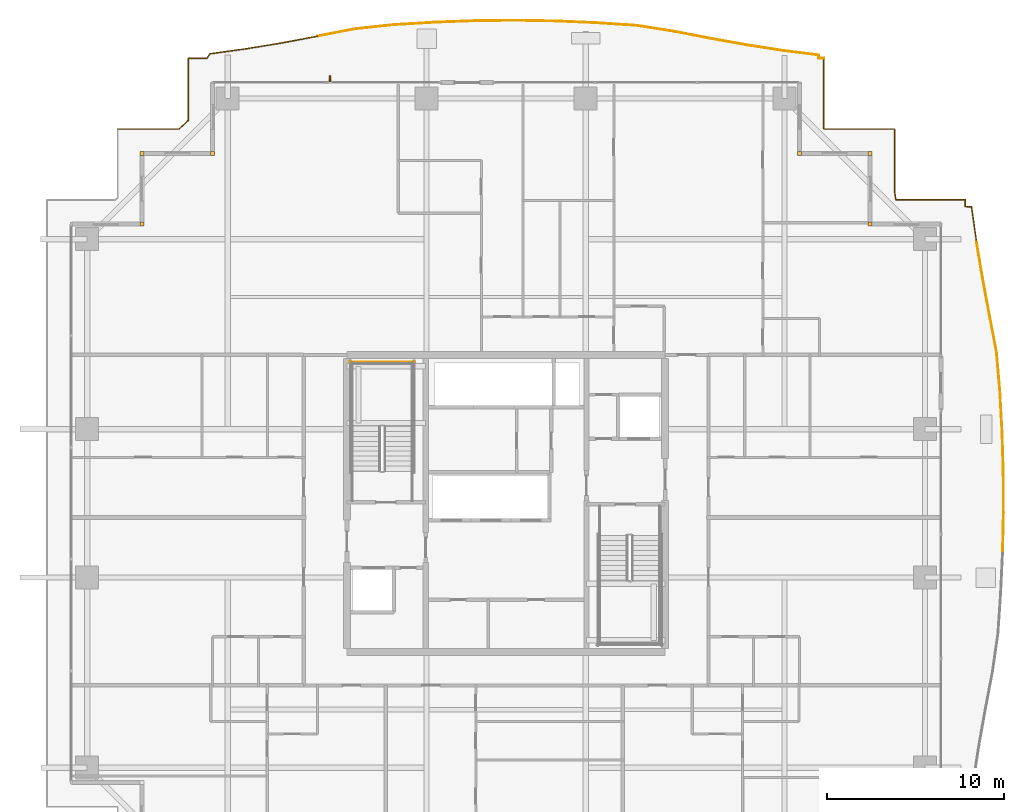
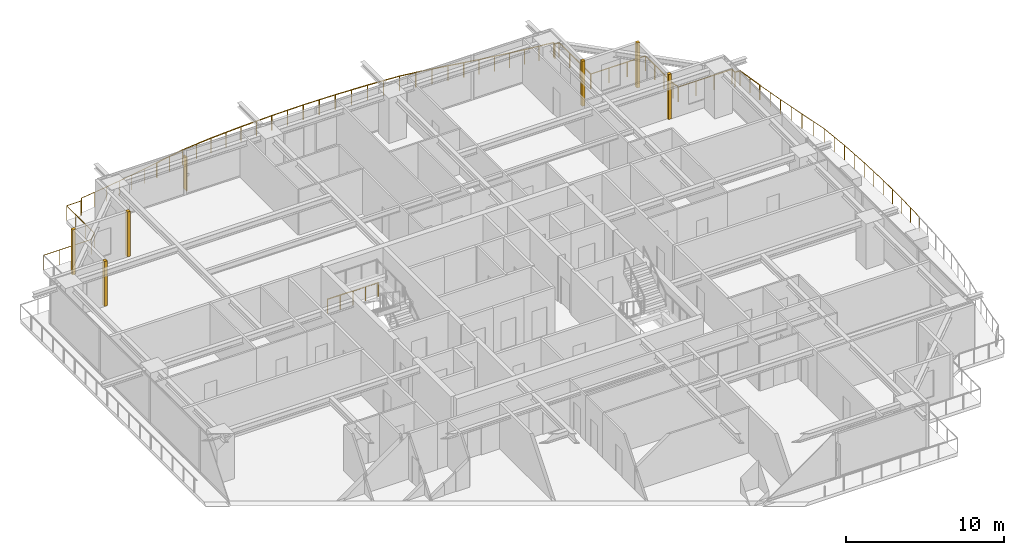
# One storey, part 34 of 34: 6 coverings, 6 railings, 1 shading device.
"""IFC4 building model written with IfcOpenShell, lengths in metres."""

from ifc_helpers import new_model, si_unit, direction, frame, origin, origin_2d, place, context, subcontext, project, spatial, rectangle, circle, extrude, source, transform, mapped, material, layer, layer_set, type_object, element, save


model = new_model("IFC4")

# Units and contexts
model_context = context("Model", 3, precision=1e-05, world=origin(), true_north=direction((0.0, 1.0)))
body_context = subcontext(model_context, "Body", "Model", "MODEL_VIEW")
ifc_project = project(units=[si_unit("LENGTHUNIT", "METRE"), si_unit("AREAUNIT", "SQUARE_METRE"), si_unit("VOLUMEUNIT", "CUBIC_METRE"), si_unit("PLANEANGLEUNIT", "RADIAN"), si_unit("MASSUNIT", "GRAM", prefix="KILO")], contexts=[model_context])

# Site, building, storey
site_placement = place(None, origin())
site = spatial("IfcSite", under=ifc_project, at=site_placement, CompositionType="ELEMENT")
building_placement = place(site_placement, origin())
building = spatial("IfcBuilding", under=site, at=building_placement, Name="Serunith Strait Residences", CompositionType="ELEMENT")
storey_placement = place(building_placement, frame((0.0, 0.0, 180.14990234375)))
storey = spatial("IfcBuildingStorey", under=building, at=storey_placement, Name="L45", CompositionType="ELEMENT", Elevation=180.14990234375)

# Railings
ifc_material_1 = material(Name="Stainless Steel & Laminated Glass Balustrade", Category="steel")
railing_type_1 = type_object("IfcRailingType", Name="RLG-BALC-1150", PredefinedType="BALUSTRADE", material=ifc_material_1)
railing_1_placement = place(storey_placement, frame((10.419921875, 46.3798828125, -0.0498046875)))
element("IfcRailing", 1, at=railing_1_placement, inside=storey, type_object=railing_type_1, Name="L45 Swirling Balcony Perimeter Balustrade 1", PredefinedType="BALUSTRADE", context=body_context, shape_type="SweptSolid", body=[
    extrude(circle(Radius=0.02392578125, at=origin_2d()), frame((0.001953125, 0.0, 1.1259765625), z_axis=(1.0, 0.0, 0.0), x_axis=(0.0, 1.0, 0.0)), (0.0, 0.0, 1.0), 3.478515625),
    extrude(circle(Radius=0.02392578125, at=origin_2d()), frame((3.48388671875, 0.00146484375, 1.1259765625), z_axis=(0.722101630655, 0.691786986727, 0.0), x_axis=(-0.691786986727, 0.722101630655, 0.0)), (0.0, 0.0, 1.0), 0.712646484375),
    extrude(circle(Radius=0.02392578125, at=origin_2d()), frame((4.0, 0.497802734375, 1.1259765625), z_axis=(0.0, 1.0, 0.0), x_axis=(-1.0, 0.0, 0.0)), (0.0, 0.0, 1.0), 3.500244140625),
    extrude(circle(Radius=0.02392578125, at=origin_2d()), frame((4.001953125, 4.0, 1.1259765625), z_axis=(1.0, 0.0, 0.0), x_axis=(0.0, 1.0, 0.0)), (0.0, 0.0, 1.0), 1.04443359375),
    extrude(circle(Radius=0.02392578125, at=origin_2d()), frame((5.049560546875, 4.001708984375, 1.1259765625), z_axis=(0.582973756796, 0.812490983881, 0.0), x_axis=(-0.812490983881, 0.582973756796, 0.0)), (0.0, 0.0, 1.0), 0.315185546875),
    extrude(circle(Radius=0.02392578125, at=origin_2d()), frame((5.236328125, 4.259521484375, 1.1259765625), z_axis=(0.990790362789, 0.135404789443, 0.0), x_axis=(-0.135404789443, 0.990790362789, 0.0)), (0.0, 0.0, 1.0), 2.013671875),
    extrude(circle(Radius=0.02392578125, at=origin_2d()), frame((7.2353515625, 4.53271484375, 1.1259765625), z_axis=(0.986711724993, 0.162480681195, 0.0), x_axis=(-0.162480681195, 0.986711724993, 0.0)), (0.0, 0.0, 1.0), 2.03955078125),
    extrude(circle(Radius=0.02392578125, at=origin_2d()), frame((9.251708984375, 4.864990234375, 1.1259765625), z_axis=(0.982997738643, 0.183617662067, 0.0), x_axis=(-0.183617662067, 0.982997738643, 0.0)), (0.0, 0.0, 1.0), 2.08349609375),
    extrude(circle(Radius=0.02099609375, at=origin_2d()), origin(), (0.0, 0.0, 1.0), 1.099853515625),
    extrude(circle(Radius=0.02099609375, at=origin_2d()), frame((1.160888671875, 0.0, 0.0)), (0.0, 0.0, 1.0), 1.099853515625),
    extrude(circle(Radius=0.02099609375, at=origin_2d()), frame((2.321533203125, 0.0, 0.0)), (0.0, 0.0, 1.0), 1.099853515625),
    extrude(circle(Radius=0.02099609375, at=origin_2d()), frame((3.482421875, 0.0, 0.0)), (0.0, 0.0, 1.0), 1.099853515625),
    extrude(circle(Radius=0.02099609375, at=origin_2d()), frame((4.0, 0.495849609375, 0.0)), (0.0, 0.0, 1.0), 1.099853515625),
    extrude(circle(Radius=0.02099609375, at=origin_2d()), frame((4.0, 1.663818359375, 0.0)), (0.0, 0.0, 1.0), 1.099853515625),
    extrude(circle(Radius=0.02099609375, at=origin_2d()), frame((4.0, 2.83203125, 0.0)), (0.0, 0.0, 1.0), 1.099853515625),
    extrude(circle(Radius=0.02099609375, at=origin_2d()), frame((4.0, 4.0, 0.0)), (0.0, 0.0, 1.0), 1.099853515625),
    extrude(circle(Radius=0.02099609375, at=origin_2d()), frame((5.04833984375, 4.0, 0.0)), (0.0, 0.0, 1.0), 1.099853515625),
    extrude(circle(Radius=0.02099609375, at=origin_2d()), frame((5.234375, 4.25927734375, 0.0)), (0.0, 0.0, 1.0), 1.099853515625),
    extrude(circle(Radius=0.02099609375, at=origin_2d()), frame((6.23388671875, 4.39599609375, 0.0)), (0.0, 0.0, 1.0), 1.099853515625),
    extrude(circle(Radius=0.02099609375, at=origin_2d()), frame((7.2333984375, 4.532470703125, 0.0)), (0.0, 0.0, 1.0), 1.099853515625),
    extrude(circle(Radius=0.02099609375, at=origin_2d()), frame((8.24169921875, 4.698486328125, 0.0)), (0.0, 0.0, 1.0), 1.099853515625),
    extrude(circle(Radius=0.02099609375, at=origin_2d()), frame((9.249755859375, 4.864501953125, 0.0)), (0.0, 0.0, 1.0), 1.099853515625),
    extrude(circle(Radius=0.02099609375, at=origin_2d()), frame((10.27587890625, 5.05615234375, 0.0)), (0.0, 0.0, 1.0), 1.099853515625),
    extrude(circle(Radius=0.02099609375, at=origin_2d()), frame((11.3017578125, 5.247802734375, 0.0)), (0.0, 0.0, 1.0), 1.099853515625),
])
railing_2_placement = place(storey_placement, frame((21.7216796875, 51.627685546875, -0.0498046875)))
element("IfcRailing", 2, at=railing_2_placement, inside=storey, type_object=railing_type_1, Name="L45 Swirling Balcony Perimeter Balustrade 2", PredefinedType="BALUSTRADE", context=body_context, shape_type="SweptSolid", body=[
    extrude(circle(Radius=0.02392578125, at=origin_2d()), frame((0.001953125, 0.00048828125, 1.1259765625), z_axis=(0.981389860322, 0.192025889027, 0.0), x_axis=(-0.192025889027, 0.981389860322, 0.0)), (0.0, 0.0, 1.0), 2.143310546875),
    extrude(circle(Radius=0.02392578125, at=origin_2d()), frame((2.109375, 0.41259765625, 1.1259765625), z_axis=(0.994493458106, 0.104798672628, 0.0), x_axis=(-0.104798672628, 0.994493458106, 0.0)), (0.0, 0.0, 1.0), 2.227783203125),
    extrude(circle(Radius=0.02392578125, at=origin_2d()), frame((4.328857421875, 0.646240234375, 1.1259765625), z_axis=(0.998151392855, 0.060776615093, 0.0), x_axis=(-0.060776615093, 0.998151392855, 0.0)), (0.0, 0.0, 1.0), 2.273681640625),
    extrude(circle(Radius=0.02392578125, at=origin_2d()), frame((6.602294921875, 0.78466796875, 1.1259765625), z_axis=(0.999306819578, 0.03722741389, 0.0), x_axis=(-0.03722741389, 0.999306819578, 0.0)), (0.0, 0.0, 1.0), 2.2978515625),
    extrude(circle(Radius=0.02392578125, at=origin_2d()), frame((8.902587890625, 0.870361328125, 1.1259765625), z_axis=(0.999945429901, 0.010446876062, 0.0), x_axis=(-0.010446876062, 0.999945429901, 0.0)), (0.0, 0.0, 1.0), 2.3095703125),
    extrude(circle(Radius=0.02392578125, at=origin_2d()), frame((11.216064453125, 0.89453125, 1.1259765625), z_axis=(0.999851745669, -0.017218788647, 0.0), x_axis=(0.017218788647, 0.999851745669, 0.0)), (0.0, 0.0, 1.0), 2.30712890625),
    extrude(circle(Radius=0.02392578125, at=origin_2d()), frame((13.52685546875, 0.854736328125, 1.1259765625), z_axis=(0.999057763307, -0.043400294658, 0.0), x_axis=(0.043400294658, 0.999057763307, 0.0)), (0.0, 0.0, 1.0), 2.291015625),
    extrude(circle(Radius=0.02392578125, at=origin_2d()), frame((15.81982421875, 0.7548828125, 1.1259765625), z_axis=(0.997812231348, -0.066111655341, 0.0), x_axis=(0.066111655341, 0.997812231348, 0.0)), (0.0, 0.0, 1.0), 2.263427734375),
    extrude(circle(Radius=0.02099609375, at=origin_2d()), origin(), (0.0, 0.0, 1.0), 1.099853515625),
    extrude(circle(Radius=0.02099609375, at=origin_2d()), frame((1.0537109375, 0.2060546875, 0.0)), (0.0, 0.0, 1.0), 1.099853515625),
    extrude(circle(Radius=0.02099609375, at=origin_2d()), frame((2.107421875, 0.412353515625, 0.0)), (0.0, 0.0, 1.0), 1.099853515625),
    extrude(circle(Radius=0.02099609375, at=origin_2d()), frame((3.21728515625, 0.529296875, 0.0)), (0.0, 0.0, 1.0), 1.099853515625),
    extrude(circle(Radius=0.02099609375, at=origin_2d()), frame((4.326904296875, 0.646240234375, 0.0)), (0.0, 0.0, 1.0), 1.099853515625),
    extrude(circle(Radius=0.02099609375, at=origin_2d()), frame((5.463623046875, 0.71533203125, 0.0)), (0.0, 0.0, 1.0), 1.099853515625),
    extrude(circle(Radius=0.02099609375, at=origin_2d()), frame((6.600341796875, 0.78466796875, 0.0)), (0.0, 0.0, 1.0), 1.099853515625),
    extrude(circle(Radius=0.02099609375, at=origin_2d()), frame((7.75048828125, 0.82763671875, 0.0)), (0.0, 0.0, 1.0), 1.099853515625),
    extrude(circle(Radius=0.02099609375, at=origin_2d()), frame((8.900634765625, 0.870361328125, 0.0)), (0.0, 0.0, 1.0), 1.099853515625),
    extrude(circle(Radius=0.02099609375, at=origin_2d()), frame((10.057373046875, 0.88232421875, 0.0)), (0.0, 0.0, 1.0), 1.099853515625),
    extrude(circle(Radius=0.02099609375, at=origin_2d()), frame((11.214111328125, 0.89453125, 0.0)), (0.0, 0.0, 1.0), 1.099853515625),
    extrude(circle(Radius=0.02099609375, at=origin_2d()), frame((12.36962890625, 0.87451171875, 0.0)), (0.0, 0.0, 1.0), 1.099853515625),
    extrude(circle(Radius=0.02099609375, at=origin_2d()), frame((13.52490234375, 0.854736328125, 0.0)), (0.0, 0.0, 1.0), 1.099853515625),
    extrude(circle(Radius=0.02099609375, at=origin_2d()), frame((14.67138671875, 0.804931640625, 0.0)), (0.0, 0.0, 1.0), 1.099853515625),
    extrude(circle(Radius=0.02099609375, at=origin_2d()), frame((15.81787109375, 0.755126953125, 0.0)), (0.0, 0.0, 1.0), 1.099853515625),
    extrude(circle(Radius=0.02099609375, at=origin_2d()), frame((16.94921875, 0.68017578125, 0.0)), (0.0, 0.0, 1.0), 1.099853515625),
    extrude(circle(Radius=0.02099609375, at=origin_2d()), frame((18.080322265625, 0.605224609375, 0.0)), (0.0, 0.0, 1.0), 1.099853515625),
])
railing_3_placement = place(storey_placement, frame((39.802001953125, 52.23291015625, -0.0498046875)))
element("IfcRailing", 3, at=railing_3_placement, inside=storey, type_object=railing_type_1, Name="L45 Swirling Balcony Perimeter Balustrade 3", PredefinedType="BALUSTRADE", context=body_context, shape_type="SweptSolid", body=[
    extrude(circle(Radius=0.02392578125, at=origin_2d()), frame((0.001953125, -0.000244140625, 1.1259765625), z_axis=(0.987599133222, -0.156996662571, 0.0), x_axis=(0.156996662571, 0.987599133222, 0.0)), (0.0, 0.0, 1.0), 2.190185546875),
    extrude(circle(Radius=0.02392578125, at=origin_2d()), frame((2.1689453125, -0.344970703125, 1.1259765625), z_axis=(0.981688997727, -0.190490713007, 0.0), x_axis=(0.190490713007, 0.981688997727, 0.0)), (0.0, 0.0, 1.0), 2.1171875),
    extrude(circle(Radius=0.02392578125, at=origin_2d()), frame((4.251220703125, -0.748779296875, 1.1259765625), z_axis=(0.984284896803, -0.176587773997, 0.0), x_axis=(0.176587773997, 0.984284896803, 0.0)), (0.0, 0.0, 1.0), 2.06298828125),
    extrude(circle(Radius=0.02392578125, at=origin_2d()), frame((6.28564453125, -1.11376953125, 1.1259765625), z_axis=(0.988346663892, -0.152219814658, 0.0), x_axis=(0.152219814658, 0.988346663892, 0.0)), (0.0, 0.0, 1.0), 2.026611328125),
    extrude(circle(Radius=0.02392578125, at=origin_2d()), frame((8.29248046875, -1.4228515625, 1.1259765625), z_axis=(0.99216350528, -0.124946303627, 0.0), x_axis=(0.124946303627, 0.99216350528, 0.0)), (0.0, 0.0, 1.0), 2.006591796875),
    extrude(circle(Radius=0.02392578125, at=origin_2d()), frame((10.285400390625, -1.67578125, 1.1259765625), z_axis=(-0.008174113826, -0.999966591374, 0.0), x_axis=(0.999966591374, -0.008174113826, 0.0)), (0.0, 0.0, 1.0), 0.17529296875),
    extrude(circle(Radius=0.02392578125, at=origin_2d()), frame((10.285888671875, -1.85302734375, 1.1259765625), z_axis=(1.0, 0.0, 0.0), x_axis=(0.0, 1.0, 0.0)), (0.0, 0.0, 1.0), 0.2900390625),
    extrude(circle(Radius=0.02099609375, at=origin_2d()), origin(), (0.0, 0.0, 1.0), 1.099853515625),
    extrude(circle(Radius=0.02099609375, at=origin_2d()), frame((1.08349609375, -0.17236328125, 0.0)), (0.0, 0.0, 1.0), 1.099853515625),
    extrude(circle(Radius=0.02099609375, at=origin_2d()), frame((2.1669921875, -0.344482421875, 0.0)), (0.0, 0.0, 1.0), 1.099853515625),
    extrude(circle(Radius=0.02099609375, at=origin_2d()), frame((3.2080078125, -0.54638671875, 0.0)), (0.0, 0.0, 1.0), 1.099853515625),
    extrude(circle(Radius=0.02099609375, at=origin_2d()), frame((4.249267578125, -0.74853515625, 0.0)), (0.0, 0.0, 1.0), 1.099853515625),
    extrude(circle(Radius=0.02099609375, at=origin_2d()), frame((5.2666015625, -0.93115234375, 0.0)), (0.0, 0.0, 1.0), 1.099853515625),
    extrude(circle(Radius=0.02099609375, at=origin_2d()), frame((6.28369140625, -1.113525390625, 0.0)), (0.0, 0.0, 1.0), 1.099853515625),
    extrude(circle(Radius=0.02099609375, at=origin_2d()), frame((7.287109375, -1.26806640625, 0.0)), (0.0, 0.0, 1.0), 1.099853515625),
    extrude(circle(Radius=0.02099609375, at=origin_2d()), frame((8.29052734375, -1.422607421875, 0.0)), (0.0, 0.0, 1.0), 1.099853515625),
    extrude(circle(Radius=0.02099609375, at=origin_2d()), frame((9.2880859375, -1.54833984375, 0.0)), (0.0, 0.0, 1.0), 1.099853515625),
    extrude(circle(Radius=0.02099609375, at=origin_2d()), frame((10.285400390625, -1.673828125, 0.0)), (0.0, 0.0, 1.0), 1.099853515625),
    extrude(circle(Radius=0.02099609375, at=origin_2d()), frame((10.283935546875, -1.85302734375, 0.0)), (0.0, 0.0, 1.0), 1.099853515625),
    extrude(circle(Radius=0.02099609375, at=origin_2d()), frame((10.577880859375, -1.85302734375, 0.0)), (0.0, 0.0, 1.0), 1.099853515625),
])
railing_4_placement = place(storey_placement, frame((50.3798828125, 50.3798828125, -0.0498046875)))
element("IfcRailing", 4, at=railing_4_placement, inside=storey, type_object=railing_type_1, Name="L45 Swirling Balcony Perimeter Balustrade 4", PredefinedType="BALUSTRADE", context=body_context, shape_type="SweptSolid", body=[
    extrude(circle(Radius=0.02392578125, at=origin_2d()), frame((0.0, -0.001953125, 1.1259765625), z_axis=(0.0, -1.0, 0.0), x_axis=(1.0, 0.0, 0.0)), (0.0, 0.0, 1.0), 3.99609375),
    extrude(circle(Radius=0.02392578125, at=origin_2d()), frame((0.001953125, -4.0, 1.1259765625), z_axis=(1.0, 0.0, 0.0), x_axis=(0.0, 1.0, 0.0)), (0.0, 0.0, 1.0), 3.99609375),
    extrude(circle(Radius=0.02392578125, at=origin_2d()), frame((4.0, -4.001953125, 1.1259765625), z_axis=(0.0, -1.0, 0.0), x_axis=(1.0, 0.0, 0.0)), (0.0, 0.0, 1.0), 3.483642578125),
    extrude(circle(Radius=0.02392578125, at=origin_2d()), frame((4.000244140625, -7.489501953125, 1.1259765625), z_axis=(0.148409568679, -0.988925983036, 0.0), x_axis=(0.988925983036, 0.148409568679, 0.0)), (0.0, 0.0, 1.0), 0.51416015625),
    extrude(circle(Radius=0.02392578125, at=origin_2d()), frame((4.078857421875, -8.0, 1.1259765625), z_axis=(1.0, 0.0, 0.0), x_axis=(0.0, 1.0, 0.0)), (0.0, 0.0, 1.0), 3.919189453125),
    extrude(circle(Radius=0.02392578125, at=origin_2d()), frame((8.0, -8.001953125, 1.1259765625), z_axis=(0.0, -1.0, 0.0), x_axis=(1.0, 0.0, 0.0)), (0.0, 0.0, 1.0), 0.38232421875),
    extrude(circle(Radius=0.02392578125, at=origin_2d()), frame((8.001953125, -8.38623046875, 1.1259765625), z_axis=(0.998360225658, -0.057243862768, 0.0), x_axis=(0.057243862768, 0.998360225658, 0.0)), (0.0, 0.0, 1.0), 0.354248046875),
    extrude(circle(Radius=0.02392578125, at=origin_2d()), frame((8.35791015625, -8.40869140625, 1.1259765625), z_axis=(0.140711121224, -0.990050695855, 0.0), x_axis=(0.990050695855, 0.140711121224, 0.0)), (0.0, 0.0, 1.0), 2.017333984375),
    extrude(circle(Radius=0.02099609375, at=origin_2d()), origin(), (0.0, 0.0, 1.0), 1.099853515625),
    extrude(circle(Radius=0.02099609375, at=origin_2d()), frame((0.0, -1.333251953125, 0.0)), (0.0, 0.0, 1.0), 1.099853515625),
    extrude(circle(Radius=0.02099609375, at=origin_2d()), frame((0.0, -2.666748046875, 0.0)), (0.0, 0.0, 1.0), 1.099853515625),
    extrude(circle(Radius=0.02099609375, at=origin_2d()), frame((0.0, -4.0, 0.0)), (0.0, 0.0, 1.0), 1.099853515625),
    extrude(circle(Radius=0.02099609375, at=origin_2d()), frame((1.333251953125, -4.0, 0.0)), (0.0, 0.0, 1.0), 1.099853515625),
    extrude(circle(Radius=0.02099609375, at=origin_2d()), frame((2.666748046875, -4.0, 0.0)), (0.0, 0.0, 1.0), 1.099853515625),
    extrude(circle(Radius=0.02099609375, at=origin_2d()), frame((4.0, -4.0, 0.0)), (0.0, 0.0, 1.0), 1.099853515625),
    extrude(circle(Radius=0.02099609375, at=origin_2d()), frame((4.0, -5.16259765625, 0.0)), (0.0, 0.0, 1.0), 1.099853515625),
    extrude(circle(Radius=0.02099609375, at=origin_2d()), frame((4.0, -6.324951171875, 0.0)), (0.0, 0.0, 1.0), 1.099853515625),
    extrude(circle(Radius=0.02099609375, at=origin_2d()), frame((4.0, -7.487548828125, 0.0)), (0.0, 0.0, 1.0), 1.099853515625),
    extrude(circle(Radius=0.02099609375, at=origin_2d()), frame((4.076904296875, -8.0, 0.0)), (0.0, 0.0, 1.0), 1.099853515625),
    extrude(circle(Radius=0.02099609375, at=origin_2d()), frame((5.384521484375, -8.0, 0.0)), (0.0, 0.0, 1.0), 1.099853515625),
    extrude(circle(Radius=0.02099609375, at=origin_2d()), frame((6.6923828125, -8.0, 0.0)), (0.0, 0.0, 1.0), 1.099853515625),
    extrude(circle(Radius=0.02099609375, at=origin_2d()), frame((8.0, -8.0, 0.0)), (0.0, 0.0, 1.0), 1.099853515625),
    extrude(circle(Radius=0.02099609375, at=origin_2d()), frame((8.0, -8.38623046875, 0.0)), (0.0, 0.0, 1.0), 1.099853515625),
    extrude(circle(Radius=0.02099609375, at=origin_2d()), frame((8.357666015625, -8.40673828125, 0.0)), (0.0, 0.0, 1.0), 1.099853515625),
    extrude(circle(Radius=0.02099609375, at=origin_2d()), frame((8.5, -9.4072265625, 0.0)), (0.0, 0.0, 1.0), 1.099853515625),
    extrude(circle(Radius=0.02099609375, at=origin_2d()), frame((8.64208984375, -10.407958984375, 0.0)), (0.0, 0.0, 1.0), 1.099853515625),
])
railing_5_placement = place(storey_placement, frame((59.02197265625, 39.971923828125, -0.0498046875)))
element("IfcRailing", 5, at=railing_5_placement, inside=storey, type_object=railing_type_1, Name="L45 Swirling Balcony Perimeter Balustrade 5", PredefinedType="BALUSTRADE", context=body_context, shape_type="SweptSolid", body=[
    extrude(circle(Radius=0.02392578125, at=origin_2d()), frame((0.000244140625, -0.001953125, 1.1259765625), z_axis=(0.165518861184, -0.986206624695, 0.0), x_axis=(0.986206624695, 0.165518861184, 0.0)), (0.0, 0.0, 1.0), 2.046142578125),
    extrude(circle(Radius=0.02392578125, at=origin_2d()), frame((0.33984375, -2.02392578125, 1.1259765625), z_axis=(0.183261437081, -0.983064212389, 0.0), x_axis=(0.983064212389, 0.183261437081, 0.0)), (0.0, 0.0, 1.0), 2.091552734375),
    extrude(circle(Radius=0.02392578125, at=origin_2d()), frame((0.723876953125, -4.083984375, 1.1259765625), z_axis=(0.187481686421, -0.982268098462, 0.0), x_axis=(0.982268098462, 0.187481686421, 0.0)), (0.0, 0.0, 1.0), 2.151123046875),
    extrude(circle(Radius=0.02392578125, at=origin_2d()), frame((1.127685546875, -6.200927734375, 1.1259765625), z_axis=(0.086789583604, -0.996226665061, 0.0), x_axis=(0.996226665061, 0.086789583604, 0.0)), (0.0, 0.0, 1.0), 2.235107421875),
    extrude(circle(Radius=0.02392578125, at=origin_2d()), frame((1.32177734375, -8.431640625, 1.1259765625), z_axis=(0.054056186822, -0.998537895458, 0.0), x_axis=(0.998537895458, 0.054056186822, 0.0)), (0.0, 0.0, 1.0), 2.272216796875),
    extrude(circle(Radius=0.02392578125, at=origin_2d()), frame((1.44482421875, -10.70458984375, 1.1259765625), z_axis=(0.030392077767, -0.999538054108, 0.0), x_axis=(0.999538054108, 0.030392077767, 0.0)), (0.0, 0.0, 1.0), 2.29345703125),
    extrude(circle(Radius=0.02392578125, at=origin_2d()), frame((1.5146484375, -13.0009765625, 1.1259765625), z_axis=(0.004233214266, -0.999991039908, 0.0), x_axis=(0.999991039908, 0.004233214266, 0.0)), (0.0, 0.0, 1.0), 2.302978515625),
    extrude(circle(Radius=0.02392578125, at=origin_2d()), frame((1.5244140625, -15.307861328125, 1.1259765625), z_axis=(-0.022263833227, -0.999752130145, 0.0), x_axis=(0.999752130145, -0.022263833227, 0.0)), (0.0, 0.0, 1.0), 2.298828125),
    extrude(circle(Radius=0.02099609375, at=origin_2d()), origin(), (0.0, 0.0, 1.0), 1.099853515625),
    extrude(circle(Radius=0.02099609375, at=origin_2d()), frame((0.169677734375, -1.010986328125, 0.0)), (0.0, 0.0, 1.0), 1.099853515625),
    extrude(circle(Radius=0.02099609375, at=origin_2d()), frame((0.33935546875, -2.02197265625, 0.0)), (0.0, 0.0, 1.0), 1.099853515625),
    extrude(circle(Radius=0.02099609375, at=origin_2d()), frame((0.53125, -3.052001953125, 0.0)), (0.0, 0.0, 1.0), 1.099853515625),
    extrude(circle(Radius=0.02099609375, at=origin_2d()), frame((0.723388671875, -4.08203125, 0.0)), (0.0, 0.0, 1.0), 1.099853515625),
    extrude(circle(Radius=0.02099609375, at=origin_2d()), frame((0.92529296875, -5.140625, 0.0)), (0.0, 0.0, 1.0), 1.099853515625),
    extrude(circle(Radius=0.02099609375, at=origin_2d()), frame((1.12744140625, -6.198974609375, 0.0)), (0.0, 0.0, 1.0), 1.099853515625),
    extrude(circle(Radius=0.02099609375, at=origin_2d()), frame((1.224609375, -7.314453125, 0.0)), (0.0, 0.0, 1.0), 1.099853515625),
    extrude(circle(Radius=0.02099609375, at=origin_2d()), frame((1.32177734375, -8.4296875, 0.0)), (0.0, 0.0, 1.0), 1.099853515625),
    extrude(circle(Radius=0.02099609375, at=origin_2d()), frame((1.38330078125, -9.566162109375, 0.0)), (0.0, 0.0, 1.0), 1.099853515625),
    extrude(circle(Radius=0.02099609375, at=origin_2d()), frame((1.44482421875, -10.70263671875, 0.0)), (0.0, 0.0, 1.0), 1.099853515625),
    extrude(circle(Radius=0.02099609375, at=origin_2d()), frame((1.479736328125, -11.850830078125, 0.0)), (0.0, 0.0, 1.0), 1.099853515625),
    extrude(circle(Radius=0.02099609375, at=origin_2d()), frame((1.5146484375, -12.9990234375, 0.0)), (0.0, 0.0, 1.0), 1.099853515625),
    extrude(circle(Radius=0.02099609375, at=origin_2d()), frame((1.51953125, -14.15234375, 0.0)), (0.0, 0.0, 1.0), 1.099853515625),
    extrude(circle(Radius=0.02099609375, at=origin_2d()), frame((1.5244140625, -15.305908203125, 0.0)), (0.0, 0.0, 1.0), 1.099853515625),
    extrude(circle(Radius=0.02099609375, at=origin_2d()), frame((1.498779296875, -16.45703125, 0.0)), (0.0, 0.0, 1.0), 1.099853515625),
    extrude(circle(Radius=0.02099609375, at=origin_2d()), frame((1.47314453125, -17.608154296875, 0.0)), (0.0, 0.0, 1.0), 1.099853515625),
])
ifc_material_2 = material(Name="Brushed stainless steel 316L", Category="steel")
railing_type_2 = type_object("IfcRailingType", Name="RLG-STAIR-GUARD", PredefinedType="BALUSTRADE", material=ifc_material_2)
railing_6_placement = place(storey_placement, frame((27.25, 33.199951171875, 0.0)))
element("IfcRailing", 6, at=railing_6_placement, inside=storey, type_object=railing_type_2, Name="L45 ST-1 stair guard 12", PredefinedType="BALUSTRADE", context=body_context, shape_type="SweptSolid", body=[
    extrude(circle(Radius=0.02392578125, at=origin_2d()), frame((-0.001953125, 0.0, 1.076171875), z_axis=(-1.0, 0.0, 0.0), x_axis=(0.0, -1.0, 0.0)), (0.0, 0.0, 1.0), 3.696044921875),
    extrude(circle(Radius=0.02099609375, at=origin_2d()), origin(), (0.0, 0.0, 1.0), 1.050048828125),
    extrude(circle(Radius=0.02099609375, at=origin_2d()), frame((-0.925048828125, 0.0, 0.0)), (0.0, 0.0, 1.0), 1.050048828125),
    extrude(circle(Radius=0.02099609375, at=origin_2d()), frame((-1.85009765625, 0.0, 0.0)), (0.0, 0.0, 1.0), 1.050048828125),
    extrude(circle(Radius=0.02099609375, at=origin_2d()), frame((-2.77490234375, 0.0, 0.0)), (0.0, 0.0, 1.0), 1.050048828125),
    extrude(circle(Radius=0.02099609375, at=origin_2d()), frame((-3.699951171875, 0.0, 0.0)), (0.0, 0.0, 1.0), 1.050048828125),
])

# Coverings
ifc_material_3 = material(Name="Pale-Champagne Anodised Aluminium", Category="aluminium")
ifc_layer = layer(ifc_material_3, 0.219970703125, Name="Pale-Champagne Anodised Aluminium")
ifc_layer_set = layer_set([ifc_layer], Name="Pale-Champagne Anodised Aluminium")
covering_type = type_object("IfcCoveringType", Name="COV-CORN-TRIM", PredefinedType="CLADDING", material=ifc_layer_set)
shared_shape_1 = source(origin(), body_context, "Body", "SweptSolid", [
    extrude(rectangle(XDim=0.221923828125, YDim=0.221923828125, at=origin_2d()), origin(), (0.0, 0.0, 1.0), 3.47509765625),
])
for number, where, z_axis, x_axis, name in (
    (7, (53.0, 41.0, 0.0), (0.0, 0.0, 1.0), (1.0, 0.0, 0.0), "L45 Girih Serrated Corner Trim Post 07"),
    (8, (53.0, 45.0, 0.0), (0.0, 0.0, 1.0), (1.0, 0.0, 0.0), "L45 Girih Serrated Corner Trim Post 08"),
    (9, (49.0, 45.0, 0.0), (0.0, 0.0, 1.0), (1.0, 0.0, 0.0), "L45 Girih Serrated Corner Trim Post 09"),
    (10, (15.800048828125, 45.0, 0.0), (0.0, 0.0, 1.0), (1.0, 0.0, 0.0), "L45 Girih Serrated Corner Trim Post 12"),
    (11, (11.800048828125, 45.0, 0.0), (0.0, 0.0, 1.0), (1.0, 0.0, 0.0), "L45 Girih Serrated Corner Trim Post 13"),
    (12, (11.800048828125, 41.0, 0.0), (0.0, 0.0, 1.0), (1.0, 0.0, 0.0), "L45 Girih Serrated Corner Trim Post 14"),
):
    element("IfcCovering", number, at=place(storey_placement, frame(where, z_axis=z_axis, x_axis=x_axis)), inside=storey, type_object=covering_type, Name=name, PredefinedType="CLADDING", context=body_context, shape_type="MappedRepresentation", body=[
        mapped(shared_shape_1, transform((0.0, 0.0, 0.0), scale=1.0)),
    ])

# Shading device
ifc_material_4 = material(Name="Pale-Champagne Perforated Aluminium Fin", Category="aluminium")
shading_device_type = type_object("IfcShadingDeviceType", Name="SHD-DIAG-FIN", PredefinedType="AWNING", material=ifc_material_4)
shared_shape_2 = source(origin(), body_context, "Body", "SweptSolid", [
    extrude(rectangle(XDim=0.080078125, YDim=0.35009765625, at=origin_2d()), origin(), (0.0, 0.0, 1.0), 2.60009765625),
])
shading_device_placement = place(storey_placement, frame((22.43994140625, 49.219970703125, 0.199951171875), z_axis=(0.0, 0.0, 1.0), x_axis=(1.0, 0.0, 0.0)))
element("IfcShadingDevice", 13, at=shading_device_placement, inside=storey, type_object=shading_device_type, Name="L45 Diagonal Rhythm Solar Fin N", PredefinedType="AWNING", context=body_context, shape_type="MappedRepresentation", body=[
    mapped(shared_shape_2, transform((0.0, 0.0, 0.0), scale=1.0)),
])

save(model, "model.ifc")
